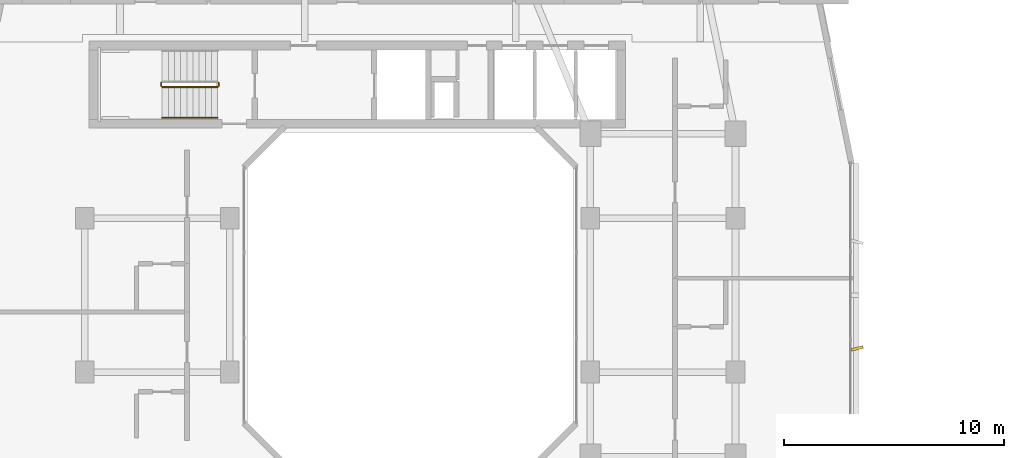
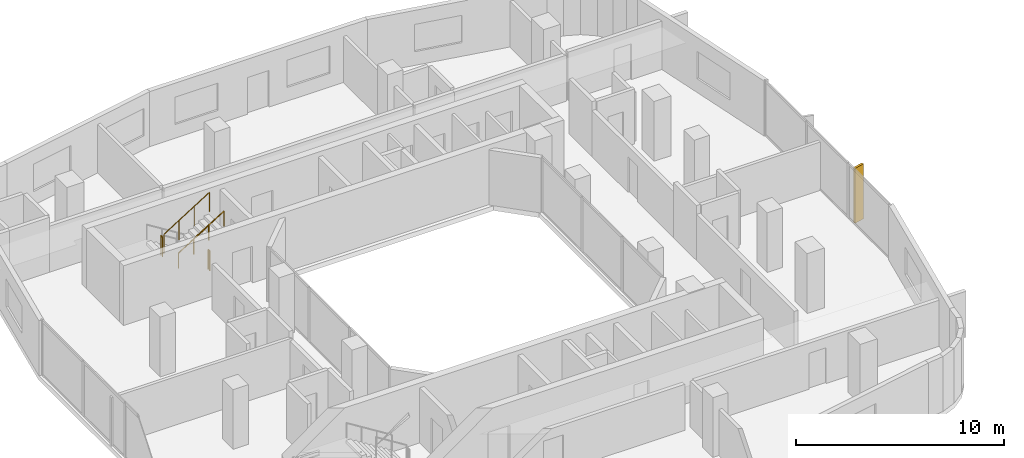
# One storey, part 20 of 22: 4 railings, 1 shading device.
"""IFC4 building model written with IfcOpenShell, lengths in metres."""

from ifc_helpers import new_model, si_unit, derived_unit, direction, frame, origin, origin_2d, place, context, subcontext, project, spatial, rectangle, circle, extrude, material, type_object, element, save


model = new_model("IFC4")

# Units and contexts
model_context = context("Model", 3, precision=1e-05, world=origin(), true_north=direction((0.0, 1.0)))
body_context = subcontext(model_context, "Body", "Model", "MODEL_VIEW")
ifc_project = project(units=[si_unit("LENGTHUNIT", "METRE"), si_unit("AREAUNIT", "SQUARE_METRE"), si_unit("VOLUMEUNIT", "CUBIC_METRE"), si_unit("PLANEANGLEUNIT", "RADIAN"), si_unit("MASSUNIT", "GRAM", prefix="KILO"), derived_unit("THERMALTRANSMITTANCEUNIT", [(si_unit("POWERUNIT", "WATT"), 1), (si_unit("LENGTHUNIT", "METRE"), -2), (si_unit("THERMODYNAMICTEMPERATUREUNIT", "KELVIN"), -1)])], contexts=[model_context])

# Site, building, storey
site_placement = place(None, origin())
site = spatial("IfcSite", under=ifc_project, at=site_placement, CompositionType="ELEMENT")
building_placement = place(site_placement, origin())
building = spatial("IfcBuilding", under=site, at=building_placement, Name="Kivonza Crest Hotel", CompositionType="ELEMENT")
storey_placement = place(building_placement, frame((0.0, 0.0, 112.5)))
storey = spatial("IfcBuildingStorey", under=building, at=storey_placement, Name="L30", CompositionType="ELEMENT", Elevation=112.5)

# Railings
ifc_material_1 = material(Name="Brushed stainless steel handrail", Category="steel")
railing_type_1 = type_object("IfcRailingType", Name="RL-HAND-900", PredefinedType="HANDRAIL", material=ifc_material_1)
railing_1_placement = place(storey_placement, frame((9.719970703125, 33.070068359375, 1.925048828125)))
element("IfcRailing", 1, at=railing_1_placement, inside=storey, type_object=railing_type_1, Name="L30 ST-T1-N stair handrail 2", PredefinedType="HANDRAIL", context=body_context, shape_type="SweptSolid", body=[
    extrude(circle(Radius=0.02392578125, at=origin_2d()), frame((0.0, 0.0, 0.8759765625), z_axis=(0.848007534815, 0.0, 0.529984170421), x_axis=(0.0, 1.0, 0.0)), (0.0, 0.0, 1.0), 2.9716796875),
    extrude(circle(Radius=0.02099609375, at=origin_2d()), origin(), (0.0, 0.0, 1.0), 0.851806640625),
    extrude(circle(Radius=0.02099609375, at=origin_2d()), frame((0.840087890625, 0.0, 0.52490234375)), (0.0, 0.0, 1.0), 0.851806640625),
    extrude(circle(Radius=0.02099609375, at=origin_2d()), frame((1.679931640625, 0.0, 1.050048828125)), (0.0, 0.0, 1.0), 0.851806640625),
    extrude(circle(Radius=0.02099609375, at=origin_2d()), frame((2.52001953125, 0.0, 1.574951171875)), (0.0, 0.0, 1.0), 0.851806640625),
])
ifc_material_2 = material(Name="Painted steel balustrade", Category="steel")
railing_type_2 = type_object("IfcRailingType", Name="RL-STAIR-1150", PredefinedType="BALUSTRADE", material=ifc_material_2)
railing_2_placement = place(storey_placement, frame((9.669921875, 34.659912109375, 1.75)))
element("IfcRailing", 2, at=railing_2_placement, inside=storey, type_object=railing_type_2, Name="L30 ST-T1-N stair guard 2", PredefinedType="BALUSTRADE", context=body_context, shape_type="SweptSolid", body=[
    extrude(circle(Radius=0.02392578125, at=origin_2d()), frame((0.0, 0.0, 1.1259765625), z_axis=(0.0, -1.0, 0.0), x_axis=(1.0, 0.0, 0.0)), (0.0, 0.0, 1.0), 0.139892578125),
    extrude(circle(Radius=0.02099609375, at=origin_2d()), origin(), (0.0, 0.0, 1.0), 1.101806640625),
    extrude(circle(Radius=0.02099609375, at=origin_2d()), frame((0.0, -0.139892578125, 0.0)), (0.0, 0.0, 1.0), 1.101806640625),
])
railing_3_placement = place(storey_placement, frame((9.719970703125, 34.469970703125, 1.925048828125)))
element("IfcRailing", 3, at=railing_3_placement, inside=storey, type_object=railing_type_2, Name="L30 ST-T1-N stair guard 3", PredefinedType="BALUSTRADE", context=body_context, shape_type="SweptSolid", body=[
    extrude(circle(Radius=0.02392578125, at=origin_2d()), frame((0.0, 0.0, 1.1259765625), z_axis=(0.848007534815, 0.0, 0.529984170421), x_axis=(0.0, 1.0, 0.0)), (0.0, 0.0, 1.0), 2.9716796875),
    extrude(circle(Radius=0.02099609375, at=origin_2d()), origin(), (0.0, 0.0, 1.0), 1.101806640625),
    extrude(circle(Radius=0.02099609375, at=origin_2d()), frame((0.840087890625, 0.0, 0.52490234375)), (0.0, 0.0, 1.0), 1.101806640625),
    extrude(circle(Radius=0.02099609375, at=origin_2d()), frame((1.679931640625, 0.0, 1.050048828125)), (0.0, 0.0, 1.0), 1.101806640625),
    extrude(circle(Radius=0.02099609375, at=origin_2d()), frame((2.52001953125, 0.0, 1.574951171875)), (0.0, 0.0, 1.0), 1.101806640625),
])
railing_4_placement = place(storey_placement, frame((12.2900390625, 34.659912109375, 0.0)))
element("IfcRailing", 4, at=railing_4_placement, inside=storey, type_object=railing_type_2, Name="L30 ST-T1-N stair guard 4", PredefinedType="BALUSTRADE", context=body_context, shape_type="SweptSolid", body=[
    extrude(circle(Radius=0.02392578125, at=origin_2d()), frame((0.0, 0.0, 1.1259765625), z_axis=(0.0, -1.0, 0.0), x_axis=(1.0, 0.0, 0.0)), (0.0, 0.0, 1.0), 0.139892578125),
    extrude(circle(Radius=0.02099609375, at=origin_2d()), origin(), (0.0, 0.0, 1.0), 1.101806640625),
    extrude(circle(Radius=0.02099609375, at=origin_2d()), frame((0.0, -0.139892578125, 0.0)), (0.0, 0.0, 1.0), 1.101806640625),
])

# Shading device
ifc_material_3 = material(Name="Kiln-fired terracotta over extruded aluminium spine", Category="masonry")
shading_device_type = type_object("IfcShadingDeviceType", Name="SH-FIN-550", PredefinedType="USERDEFINED", material=ifc_material_3)
shading_device_placement = place(storey_placement, frame((41.340087890625, 22.575927734375, 0.0), z_axis=(0.0, 0.0, 1.0), x_axis=(-0.2419218956, 0.970295726276, 0.0)))
element("IfcShadingDevice", 5, at=shading_device_placement, inside=storey, type_object=shading_device_type, Name="L30 vertical solar shading fin CW-T1-L30-17-1", ObjectType="FIN", PredefinedType="USERDEFINED", context=body_context, shape_type="SweptSolid", body=[
    extrude(rectangle(XDim=0.1201171875, YDim=0.550048828125, at=origin_2d()), origin(), (0.0, 0.0, 1.0), 3.219970703125),
])

save(model, "model.ifc")
